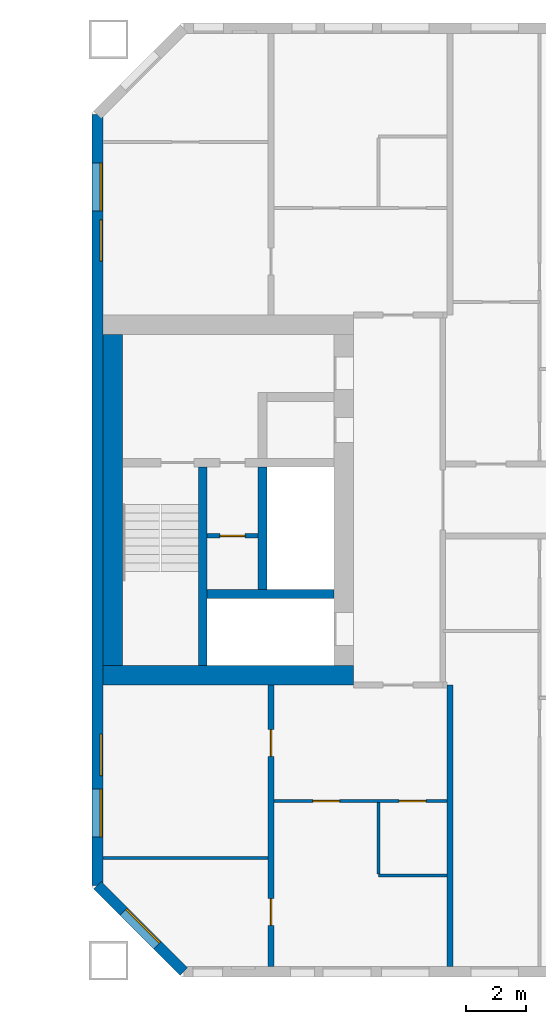
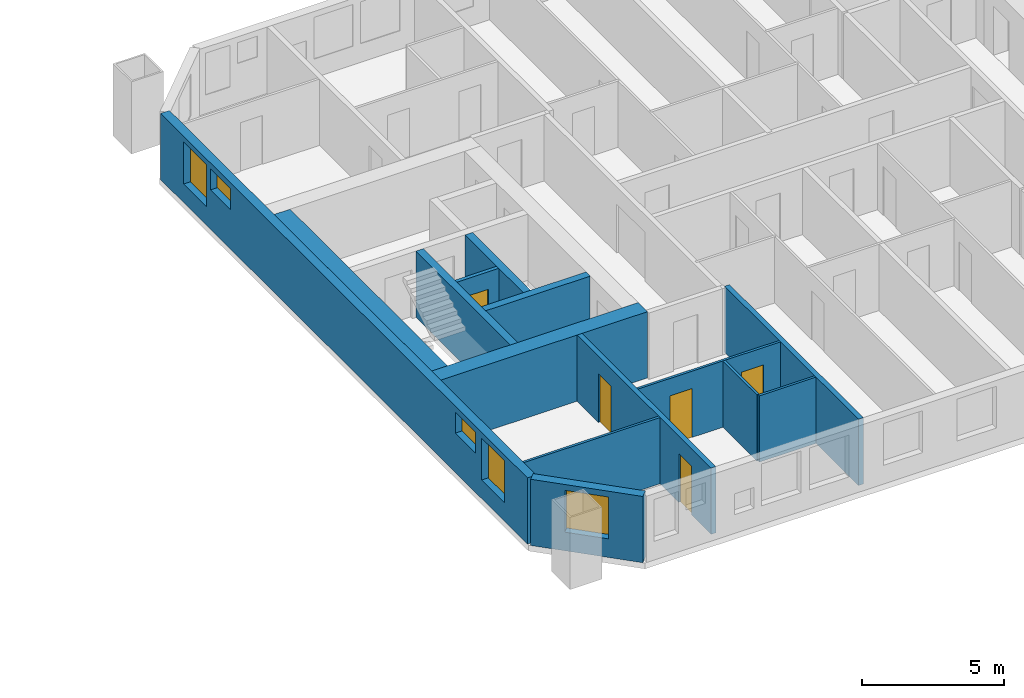
# One storey, part 9 of 17: 14 walls, 5 doors, 5 windows, 10 openings.
"""IFC4 building model written with IfcOpenShell, lengths in metres."""

from ifc_helpers import new_model, si_unit, direction, frame, frame_2d, origin, place, context, subcontext, project, spatial, rectangle, extrude, material, layer, layer_set, type_object, element, fill, save


model = new_model("IFC4")

# Units and contexts
model_context = context("Model", 3, precision=1e-05, world=origin(), true_north=direction((0.0, 1.0)))
body_context = subcontext(model_context, "Body", "Model", "MODEL_VIEW")
ifc_project = project(units=[si_unit("LENGTHUNIT", "METRE"), si_unit("AREAUNIT", "SQUARE_METRE"), si_unit("VOLUMEUNIT", "CUBIC_METRE"), si_unit("PLANEANGLEUNIT", "RADIAN"), si_unit("MASSUNIT", "GRAM", prefix="KILO")], contexts=[model_context])

# Site, building, storey
site_placement = place(None, origin())
site = spatial("IfcSite", under=ifc_project, at=site_placement, CompositionType="ELEMENT")
building_placement = place(site_placement, origin())
building = spatial("IfcBuilding", under=site, at=building_placement, Name="Tuart Gate Housing", CompositionType="ELEMENT")
storey_placement = place(building_placement, frame((0.0, 0.0, 99.5)))
storey = spatial("IfcBuildingStorey", under=building, at=storey_placement, Name="L27", CompositionType="ELEMENT", Elevation=99.5)

# Wall, opening, window
ifc_material_1 = material(Name="Brick", Category="masonry")
ifc_layer_1 = layer(ifc_material_1, 0.360107421875)
ifc_layer_set_1 = layer_set([ifc_layer_1], Name="Brick pier and spandrel wall 360")
wall_type_1 = type_object("IfcWallType", Name="Brick pier and spandrel wall 360", PredefinedType="STANDARD", material=ifc_layer_set_1)
wall_1_placement = place(storey_placement, frame((131.179931640625, 57.07470703125, 0.0), z_axis=(0.0, 0.0, 1.0), x_axis=(0.707106781187, -0.707106781187, 0.0)))
wall_1 = element("IfcWall", 1, at=wall_1_placement, inside=storey, type_object=wall_type_1, Name="External wall B-SW L27", PredefinedType="STANDARD", context=body_context, shape_type="SweptSolid", body=[
    extrude(rectangle(XDim=4.09375, YDim=0.360107421875, at=frame_2d((2.046875, 0.0))), origin(), (0.0, 0.0, 1.0), 2.85009765625),
])
opening_1_placement = place(wall_1_placement, frame((1.2470703125, 0.0, 0.800048828125)))
opening_1 = element("IfcOpeningElement", 2, at=opening_1_placement, cuts=wall_1, Name="Opening W1", PredefinedType="OPENING", context=body_context, shape_type="SweptSolid", body=[
    extrude(rectangle(XDim=1.60009765625, YDim=1.800048828125, at=frame_2d((0.800048828125, 0.89990234375))), frame((0.0, 0.18994140625, 0.0), z_axis=(0.0, -1.0, 0.0), x_axis=(1.0, 0.0, 0.0)), (0.0, 0.0, 1.0), 0.380126953125),
])
ifc_material_2 = material(Name="Aluminium frame with clear glass", Category="aluminium")
window_type_1 = type_object("IfcWindowType", Name="Punched window 1600 x 1800", PartitioningType="SINGLE_PANEL", PredefinedType="WINDOW", material=ifc_material_2)
window_1_placement = place(opening_1_placement, origin())
window_1 = element("IfcWindow", 3, at=window_1_placement, inside=storey, type_object=window_type_1, Name="Window W1", OverallHeight=1.800048828125, OverallWidth=1.60009765625, PartitioningType="SINGLE_PANEL", PredefinedType="WINDOW", context=body_context, shape_type="SweptSolid", body=[
    extrude(rectangle(XDim=1.60009765625, YDim=1.800048828125, at=frame_2d((0.800048828125, 0.89990234375))), frame((0.0, 0.150146484375, 0.0), z_axis=(0.0, -1.0, 0.0), x_axis=(1.0, 0.0, 0.0)), (0.0, 0.0, 1.0), 0.06005859375),
])
fill(opening_1, window_1)

# Wall, openings, windows
wall_2_placement = place(storey_placement, frame((131.179931640625, 82.92529296875, 0.0), z_axis=(0.0, 0.0, 1.0), x_axis=(0.0, -1.0, 0.0)))
wall_2 = element("IfcWall", 4, at=wall_2_placement, inside=storey, type_object=wall_type_1, Name="External wall B-W L27", PredefinedType="STANDARD", context=body_context, shape_type="SweptSolid", body=[
    extrude(rectangle(XDim=25.850830078125, YDim=0.360107421875, at=frame_2d((12.92529296875, 0.0))), origin(), (0.0, 0.0, 1.0), 2.85009765625),
])
opening_2_placement = place(wall_2_placement, frame((1.62548828125, 0.0, 0.800048828125)))
opening_2 = element("IfcOpeningElement", 5, at=opening_2_placement, cuts=wall_2, Name="Opening W1", PredefinedType="OPENING", context=body_context, shape_type="SweptSolid", body=[
    extrude(rectangle(XDim=1.60009765625, YDim=1.800048828125, at=frame_2d((0.800048828125, 0.89990234375))), frame((0.0, 0.18994140625, 0.0), z_axis=(0.0, -1.0, 0.0), x_axis=(1.0, 0.0, 0.0)), (0.0, 0.0, 1.0), 0.380126953125),
])
opening_3_placement = place(wall_2_placement, frame((3.525390625, 0.0, 1.699951171875)))
opening_3 = element("IfcOpeningElement", 6, at=opening_3_placement, cuts=wall_2, Name="Opening W1S", PredefinedType="OPENING", context=body_context, shape_type="SweptSolid", body=[
    extrude(rectangle(XDim=1.39990234375, YDim=0.89990234375, at=frame_2d((0.699951171875, 0.449951171875))), frame((0.0, 0.18994140625, 0.0), z_axis=(0.0, -1.0, 0.0), x_axis=(1.0, 0.0, 0.0)), (0.0, 0.0, 1.0), 0.380126953125),
])
opening_4_placement = place(wall_2_placement, frame((20.775390625, 0.0, 1.699951171875)))
opening_4 = element("IfcOpeningElement", 7, at=opening_4_placement, cuts=wall_2, Name="Opening W1S", PredefinedType="OPENING", context=body_context, shape_type="SweptSolid", body=[
    extrude(rectangle(XDim=1.39990234375, YDim=0.89990234375, at=frame_2d((0.699951171875, 0.449951171875))), frame((0.0, 0.18994140625, 0.0), z_axis=(0.0, -1.0, 0.0), x_axis=(1.0, 0.0, 0.0)), (0.0, 0.0, 1.0), 0.380126953125),
])
opening_5_placement = place(wall_2_placement, frame((22.62548828125, 0.0, 0.800048828125)))
opening_5 = element("IfcOpeningElement", 8, at=opening_5_placement, cuts=wall_2, Name="Opening W1", PredefinedType="OPENING", context=body_context, shape_type="SweptSolid", body=[
    extrude(rectangle(XDim=1.60009765625, YDim=1.800048828125, at=frame_2d((0.800048828125, 0.89990234375))), frame((0.0, 0.18994140625, 0.0), z_axis=(0.0, -1.0, 0.0), x_axis=(1.0, 0.0, 0.0)), (0.0, 0.0, 1.0), 0.380126953125),
])
ifc_material_3 = material(Name="Aluminium frame with clear glass", Category="aluminium")
window_type_2 = type_object("IfcWindowType", Name="Punched window 1400 x 900", PartitioningType="SINGLE_PANEL", PredefinedType="WINDOW", material=ifc_material_3)
window_2_placement = place(opening_3_placement, origin())
window_2 = element("IfcWindow", 9, at=window_2_placement, inside=storey, type_object=window_type_2, Name="Window W1S", OverallHeight=0.89990234375, OverallWidth=1.39990234375, PartitioningType="SINGLE_PANEL", PredefinedType="WINDOW", context=body_context, shape_type="SweptSolid", body=[
    extrude(rectangle(XDim=1.39990234375, YDim=0.89990234375, at=frame_2d((0.699951171875, 0.449951171875))), frame((0.0, 0.150146484375, 0.0), z_axis=(0.0, -1.0, 0.0), x_axis=(1.0, 0.0, 0.0)), (0.0, 0.0, 1.0), 0.06005859375),
])
fill(opening_3, window_2)
window_3_placement = place(opening_4_placement, origin())
window_3 = element("IfcWindow", 10, at=window_3_placement, inside=storey, type_object=window_type_2, Name="Window W1S", OverallHeight=0.89990234375, OverallWidth=1.39990234375, PartitioningType="SINGLE_PANEL", PredefinedType="WINDOW", context=body_context, shape_type="SweptSolid", body=[
    extrude(rectangle(XDim=1.39990234375, YDim=0.89990234375, at=frame_2d((0.699951171875, 0.449951171875))), frame((0.0, 0.150146484375, 0.0), z_axis=(0.0, -1.0, 0.0), x_axis=(1.0, 0.0, 0.0)), (0.0, 0.0, 1.0), 0.06005859375),
])
fill(opening_4, window_3)
window_4_placement = place(opening_2_placement, origin())
window_4 = element("IfcWindow", 11, at=window_4_placement, inside=storey, type_object=window_type_1, Name="Window W1", OverallHeight=1.800048828125, OverallWidth=1.60009765625, PartitioningType="SINGLE_PANEL", PredefinedType="WINDOW", context=body_context, shape_type="SweptSolid", body=[
    extrude(rectangle(XDim=1.60009765625, YDim=1.800048828125, at=frame_2d((0.800048828125, 0.89990234375))), frame((0.0, 0.150146484375, 0.0), z_axis=(0.0, -1.0, 0.0), x_axis=(1.0, 0.0, 0.0)), (0.0, 0.0, 1.0), 0.06005859375),
])
fill(opening_2, window_4)
window_5_placement = place(opening_5_placement, origin())
window_5 = element("IfcWindow", 12, at=window_5_placement, inside=storey, type_object=window_type_1, Name="Window W1", OverallHeight=1.800048828125, OverallWidth=1.60009765625, PartitioningType="SINGLE_PANEL", PredefinedType="WINDOW", context=body_context, shape_type="SweptSolid", body=[
    extrude(rectangle(XDim=1.60009765625, YDim=1.800048828125, at=frame_2d((0.800048828125, 0.89990234375))), frame((0.0, 0.150146484375, 0.0), z_axis=(0.0, -1.0, 0.0), x_axis=(1.0, 0.0, 0.0)), (0.0, 0.0, 1.0), 0.06005859375),
])
fill(opening_5, window_5)

# Wall, opening, door
ifc_material_4 = material(Name="Plasterboard partition")
ifc_layer_2 = layer(ifc_material_4, 0.14990234375)
ifc_layer_set_2 = layer_set([ifc_layer_2], Name="Core partition 150")
wall_type_2 = type_object("IfcWallType", Name="Core partition 150", PredefinedType="PARTITIONING", material=ifc_layer_set_2)
wall_3_placement = place(storey_placement, frame((136.56005859375, 68.800048828125, 0.0), z_axis=(0.0, 0.0, 1.0), x_axis=(-1.0, 0.0, 0.0)))
wall_3 = element("IfcWall", 13, at=wall_3_placement, inside=storey, type_object=wall_type_2, Name="Core partition BG.2", PredefinedType="PARTITIONING", context=body_context, shape_type="SweptSolid", body=[
    extrude(rectangle(XDim=1.699951171875, YDim=0.14990234375, at=frame_2d((0.85009765625, 0.0))), origin(), (0.0, 0.0, 1.0), 2.85009765625),
])
opening_6_placement = place(wall_3_placement, frame((0.425048828125, 0.0, 0.0)))
opening_6 = element("IfcOpeningElement", 14, at=opening_6_placement, cuts=wall_3, Name="Opening D1155", PredefinedType="OPENING", context=body_context, shape_type="SweptSolid", body=[
    extrude(rectangle(XDim=0.85009765625, YDim=2.10009765625, at=frame_2d((0.425048828125, 1.050048828125))), frame((0.0, 0.0849609375, 0.0), z_axis=(0.0, -1.0, 0.0), x_axis=(1.0, 0.0, 0.0)), (0.0, 0.0, 1.0), 0.169921875),
])
ifc_material_5 = material(Name="Steel fire door", Category="steel")
door_type_1 = type_object("IfcDoorType", Name="Service door 850 x 2100 RH", OperationType="SINGLE_SWING_RIGHT", PredefinedType="DOOR", material=ifc_material_5)
door_1_placement = place(opening_6_placement, frame((0.85009765625, 0.0, 0.0), z_axis=(0.0, 0.0, 1.0), x_axis=(-1.0, 0.0, 0.0)))
door_1 = element("IfcDoor", 15, at=door_1_placement, inside=storey, type_object=door_type_1, Name="Service room door BG.W2", OperationType="SINGLE_SWING_RIGHT", OverallHeight=2.10009765625, OverallWidth=0.85009765625, PredefinedType="DOOR", context=body_context, shape_type="SweptSolid", body=[
    extrude(rectangle(XDim=0.85009765625, YDim=2.10009765625, at=frame_2d((0.425048828125, 1.050048828125))), frame((0.0, 0.025146484375, 0.0), z_axis=(0.0, -1.0, 0.0), x_axis=(1.0, 0.0, 0.0)), (0.0, 0.0, 1.0), 0.050048828125),
])
fill(opening_6, door_1)

# Walls
ifc_material_6 = material(Name="Concrete C50", Category="concrete")
ifc_layer_3 = layer(ifc_material_6, 0.300048828125)
ifc_layer_set_3 = layer_set([ifc_layer_3], Name="Core wall 300 C50")
wall_type_3 = type_object("IfcWallType", Name="Core wall 300 C50", PredefinedType="SHEAR", material=ifc_layer_set_3)
wall_4_placement = place(storey_placement, frame((139.110107421875, 66.85009765625, 0.0), z_axis=(0.0, 0.0, 1.0), x_axis=(-1.0, 0.0, 0.0)))
element("IfcWall", 16, at=wall_4_placement, inside=storey, type_object=wall_type_3, Name="Core wall BG.1", PredefinedType="SHEAR", context=body_context, shape_type="SweptSolid", body=[
    extrude(rectangle(XDim=4.25, YDim=0.300048828125, at=frame_2d((2.125, 0.0))), origin(), (0.0, 0.0, 1.0), 2.85009765625),
])
wall_5_placement = place(storey_placement, frame((136.7099609375, 67.0, 0.0), z_axis=(0.0, 0.0, 1.0), x_axis=(0.0, 1.0, 0.0)))
element("IfcWall", 17, at=wall_5_placement, inside=storey, type_object=wall_type_3, Name="Core wall BG.5", PredefinedType="SHEAR", context=body_context, shape_type="SweptSolid", body=[
    extrude(rectangle(XDim=4.10009765625, YDim=0.300048828125, at=frame_2d((2.050048828125, 0.0))), origin(), (0.0, 0.0, 1.0), 2.85009765625),
])
wall_6_placement = place(storey_placement, frame((134.7099609375, 64.449951171875, 0.0), z_axis=(0.0, 0.0, 1.0), x_axis=(0.0, 1.0, 0.0)))
element("IfcWall", 18, at=wall_6_placement, inside=storey, type_object=wall_type_3, Name="Core wall BG.7", PredefinedType="SHEAR", context=body_context, shape_type="SweptSolid", body=[
    extrude(rectangle(XDim=6.650146484375, YDim=0.300048828125, at=frame_2d((3.3251953125, 0.0))), origin(), (0.0, 0.0, 1.0), 2.85009765625),
])
ifc_material_7 = material(Name="Concrete C50", Category="concrete")
ifc_layer_4 = layer(ifc_material_7, 0.64990234375)
ifc_layer_set_4 = layer_set([ifc_layer_4], Name="Core wall 650 C50")
wall_type_4 = type_object("IfcWallType", Name="Core wall 650 C50", PredefinedType="SHEAR", material=ifc_layer_set_4)
wall_7_placement = place(storey_placement, frame((131.68505859375, 64.449951171875, 0.0), z_axis=(0.0, 0.0, 1.0), x_axis=(0.0, 1.0, 0.0)))
element("IfcWall", 19, at=wall_7_placement, inside=storey, type_object=wall_type_4, Name="Core wall BG back", PredefinedType="SHEAR", context=body_context, shape_type="SweptSolid", body=[
    extrude(rectangle(XDim=11.10009765625, YDim=0.64990234375, at=frame_2d((5.550048828125, 0.0))), origin(), (0.0, 0.0, 1.0), 2.85009765625),
])
wall_8_placement = place(storey_placement, frame((139.760009765625, 64.125, 0.0), z_axis=(0.0, 0.0, 1.0), x_axis=(-1.0, 0.0, 0.0)))
element("IfcWall", 20, at=wall_8_placement, inside=storey, type_object=wall_type_4, Name="Core wall BG south", PredefinedType="SHEAR", context=body_context, shape_type="SweptSolid", body=[
    extrude(rectangle(XDim=8.39990234375, YDim=0.64990234375, at=frame_2d((4.199951171875, 0.0))), origin(), (0.0, 0.0, 1.0), 2.85009765625),
])
ifc_material_8 = material(Name="Gypsum board on steel studs", Category="steel")
ifc_layer_5 = layer(ifc_material_8, 0.10009765625)
ifc_layer_set_5 = layer_set([ifc_layer_5], Name="Partition 100")
wall_type_5 = type_object("IfcWallType", Name="Partition 100", PredefinedType="PARTITIONING", material=ifc_layer_set_5)
wall_9_placement = place(storey_placement, frame((140.60009765625, 57.39990234375, 0.0), z_axis=(0.0, 0.0, 1.0), x_axis=(1.0, 0.0, 0.0)))
element("IfcWall", 21, at=wall_9_placement, inside=storey, type_object=wall_type_5, Name="Partition 100", PredefinedType="PARTITIONING", context=body_context, shape_type="SweptSolid", body=[
    extrude(rectangle(XDim=2.2998046875, YDim=0.10009765625, at=frame_2d((1.14990234375, 0.0))), origin(), (0.0, 0.0, 1.0), 2.85009765625),
])
wall_10_placement = place(storey_placement, frame((131.360107421875, 58.0, 0.0), z_axis=(0.0, 0.0, 1.0), x_axis=(1.0, 0.0, 0.0)))
element("IfcWall", 22, at=wall_10_placement, inside=storey, type_object=wall_type_5, Name="Partition 100", PredefinedType="PARTITIONING", context=body_context, shape_type="SweptSolid", body=[
    extrude(rectangle(XDim=5.539794921875, YDim=0.10009765625, at=frame_2d((2.77001953125, 0.0))), origin(), (0.0, 0.0, 1.0), 2.85009765625),
])

# Wall, openings, doors
wall_11_placement = place(storey_placement, frame((137.10009765625, 59.89990234375, 0.0), z_axis=(0.0, 0.0, 1.0), x_axis=(1.0, 0.0, 0.0)))
wall_11 = element("IfcWall", 23, at=wall_11_placement, inside=storey, type_object=wall_type_5, Name="Partition 100", PredefinedType="PARTITIONING", context=body_context, shape_type="SweptSolid", body=[
    extrude(rectangle(XDim=5.7998046875, YDim=0.10009765625, at=frame_2d((2.89990234375, 0.0))), origin(), (0.0, 0.0, 1.0), 2.85009765625),
])
opening_7_placement = place(wall_11_placement, frame((1.300048828125, 0.0, 0.0)))
opening_7 = element("IfcOpeningElement", 24, at=opening_7_placement, cuts=wall_11, Name="Opening D1172", PredefinedType="OPENING", context=body_context, shape_type="SweptSolid", body=[
    extrude(rectangle(XDim=0.89990234375, YDim=2.10009765625, at=frame_2d((0.449951171875, 1.050048828125))), frame((0.0, 0.06005859375, 0.0), z_axis=(0.0, -1.0, 0.0), x_axis=(1.0, 0.0, 0.0)), (0.0, 0.0, 1.0), 0.1201171875),
])
opening_8_placement = place(wall_11_placement, frame((4.199951171875, 0.0, 0.0)))
opening_8 = element("IfcOpeningElement", 25, at=opening_8_placement, cuts=wall_11, Name="Opening D1171", PredefinedType="OPENING", context=body_context, shape_type="SweptSolid", body=[
    extrude(rectangle(XDim=0.89990234375, YDim=2.10009765625, at=frame_2d((0.449951171875, 1.050048828125))), frame((0.0, 0.06005859375, 0.0), z_axis=(0.0, -1.0, 0.0), x_axis=(1.0, 0.0, 0.0)), (0.0, 0.0, 1.0), 0.1201171875),
])
ifc_material_9 = material(Name="Timber door leaf in steel frame", Category="steel")
door_type_2 = type_object("IfcDoorType", Name="Bathroom door 900 RH", OperationType="SINGLE_SWING_RIGHT", PredefinedType="DOOR", material=ifc_material_9)
door_2_placement = place(opening_8_placement, frame((0.89990234375, 0.0, 0.0), z_axis=(0.0, 0.0, 1.0), x_axis=(-1.0, 0.0, 0.0)))
door_2 = element("IfcDoor", 26, at=door_2_placement, inside=storey, type_object=door_type_2, Name="Bathroom door", OperationType="SINGLE_SWING_RIGHT", OverallHeight=2.10009765625, OverallWidth=0.89990234375, PredefinedType="DOOR", context=body_context, shape_type="SweptSolid", body=[
    extrude(rectangle(XDim=0.89990234375, YDim=2.10009765625, at=frame_2d((0.449951171875, 1.050048828125))), frame((0.0, 0.025146484375, 0.0), z_axis=(0.0, -1.0, 0.0), x_axis=(1.0, 0.0, 0.0)), (0.0, 0.0, 1.0), 0.050048828125),
])
fill(opening_8, door_2)
ifc_material_10 = material(Name="Timber door leaf in steel frame", Category="steel")
door_type_3 = type_object("IfcDoorType", Name="Internal door 900", OperationType="SINGLE_SWING_LEFT", PredefinedType="DOOR", material=ifc_material_10)
door_3_placement = place(opening_7_placement, origin())
door_3 = element("IfcDoor", 27, at=door_3_placement, inside=storey, type_object=door_type_3, Name="Internal door", OperationType="SINGLE_SWING_LEFT", OverallHeight=2.10009765625, OverallWidth=0.89990234375, PredefinedType="DOOR", context=body_context, shape_type="SweptSolid", body=[
    extrude(rectangle(XDim=0.89990234375, YDim=2.10009765625, at=frame_2d((0.449951171875, 1.050048828125))), frame((0.0, 0.02490234375, 0.0), z_axis=(0.0, -1.0, 0.0), x_axis=(1.0, 0.0, 0.0)), (0.0, 0.0, 1.0), 0.050048828125),
])
fill(opening_7, door_3)

# Wall
wall_12_placement = place(storey_placement, frame((140.60009765625, 57.449951171875, 0.0), z_axis=(0.0, 0.0, 1.0), x_axis=(0.0, 1.0, 0.0)))
element("IfcWall", 28, at=wall_12_placement, inside=storey, type_object=wall_type_5, Name="Partition 100", PredefinedType="PARTITIONING", context=body_context, shape_type="SweptSolid", body=[
    extrude(rectangle(XDim=2.400146484375, YDim=0.10009765625, at=frame_2d((1.2001953125, 0.0))), origin(), (0.0, 0.0, 1.0), 2.85009765625),
])

# Wall, openings, doors
ifc_material_11 = material(Name="Concrete C40", Category="concrete")
ifc_layer_6 = layer(ifc_material_11, 0.199951171875)
ifc_layer_set_6 = layer_set([ifc_layer_6], Name="Party wall concrete C40 200")
wall_type_6 = type_object("IfcWallType", Name="Party wall concrete C40 200", PredefinedType="SOLIDWALL", material=ifc_layer_set_6)
wall_13_placement = place(storey_placement, frame((137.0, 54.360107421875, 0.0), z_axis=(0.0, 0.0, 1.0), x_axis=(0.0, 1.0, 0.0)))
wall_13 = element("IfcWall", 29, at=wall_13_placement, inside=storey, type_object=wall_type_6, Name="Party wall concrete C40 200", PredefinedType="SOLIDWALL", context=body_context, shape_type="SweptSolid", body=[
    extrude(rectangle(XDim=9.43994140625, YDim=0.199951171875, at=frame_2d((4.719970703125, 0.0))), origin(), (0.0, 0.0, 1.0), 2.85009765625),
])
opening_9_placement = place(wall_13_placement, frame((1.3701171875, 0.0, 0.0)))
opening_9 = element("IfcOpeningElement", 30, at=opening_9_placement, cuts=wall_13, Name="Opening D1176", PredefinedType="OPENING", context=body_context, shape_type="SweptSolid", body=[
    extrude(rectangle(XDim=0.89990234375, YDim=2.10009765625, at=frame_2d((0.449951171875, 1.050048828125))), frame((0.0, 0.10986328125, 0.0), z_axis=(0.0, -1.0, 0.0), x_axis=(1.0, 0.0, 0.0)), (0.0, 0.0, 1.0), 0.219970703125),
])
opening_10_placement = place(wall_13_placement, frame((7.0400390625, 0.0, 0.0)))
opening_10 = element("IfcOpeningElement", 31, at=opening_10_placement, cuts=wall_13, Name="Opening D1177", PredefinedType="OPENING", context=body_context, shape_type="SweptSolid", body=[
    extrude(rectangle(XDim=0.89990234375, YDim=2.10009765625, at=frame_2d((0.449951171875, 1.050048828125))), frame((0.0, 0.10986328125, 0.0), z_axis=(0.0, -1.0, 0.0), x_axis=(1.0, 0.0, 0.0)), (0.0, 0.0, 1.0), 0.219970703125),
])
door_4_placement = place(opening_9_placement, origin())
door_4 = element("IfcDoor", 32, at=door_4_placement, inside=storey, type_object=door_type_3, Name="Internal door", OperationType="SINGLE_SWING_LEFT", OverallHeight=2.10009765625, OverallWidth=0.89990234375, PredefinedType="DOOR", context=body_context, shape_type="SweptSolid", body=[
    extrude(rectangle(XDim=0.89990234375, YDim=2.10009765625, at=frame_2d((0.449951171875, 1.050048828125))), frame((0.0, 0.02490234375, 0.0), z_axis=(0.0, -1.0, 0.0), x_axis=(1.0, 0.0, 0.0)), (0.0, 0.0, 1.0), 0.050048828125),
])
fill(opening_9, door_4)
ifc_material_12 = material(Name="Timber door leaf in steel frame", Category="steel")
door_type_4 = type_object("IfcDoorType", Name="Internal door 900 RH", OperationType="SINGLE_SWING_RIGHT", PredefinedType="DOOR", material=ifc_material_12)
door_5_placement = place(opening_10_placement, origin())
door_5 = element("IfcDoor", 33, at=door_5_placement, inside=storey, type_object=door_type_4, Name="Internal door", OperationType="SINGLE_SWING_RIGHT", OverallHeight=2.10009765625, OverallWidth=0.89990234375, PredefinedType="DOOR", context=body_context, shape_type="SweptSolid", body=[
    extrude(rectangle(XDim=0.89990234375, YDim=2.10009765625, at=frame_2d((0.449951171875, 1.050048828125))), frame((0.0, 0.02490234375, 0.0), z_axis=(0.0, -1.0, 0.0), x_axis=(1.0, 0.0, 0.0)), (0.0, 0.0, 1.0), 0.050048828125),
])
fill(opening_10, door_5)

# Wall
wall_14_placement = place(storey_placement, frame((143.0, 54.360107421875, 0.0), z_axis=(0.0, 0.0, 1.0), x_axis=(0.0, 1.0, 0.0)))
element("IfcWall", 34, at=wall_14_placement, inside=storey, type_object=wall_type_6, Name="Party wall concrete C40 200", PredefinedType="SOLIDWALL", context=body_context, shape_type="SweptSolid", body=[
    extrude(rectangle(XDim=9.43994140625, YDim=0.199951171875, at=frame_2d((4.719970703125, 0.0))), origin(), (0.0, 0.0, 1.0), 2.85009765625),
])

save(model, "model.ifc")
